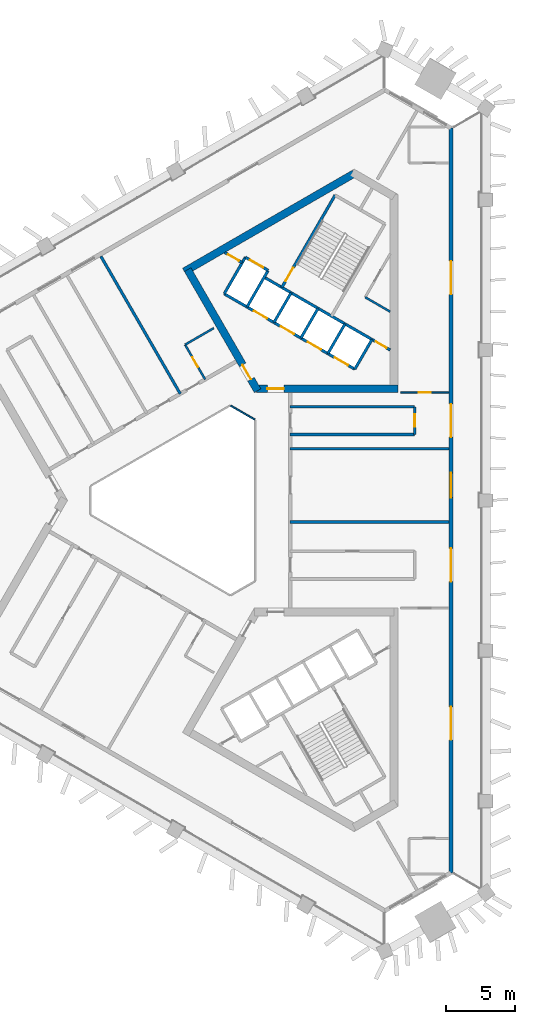
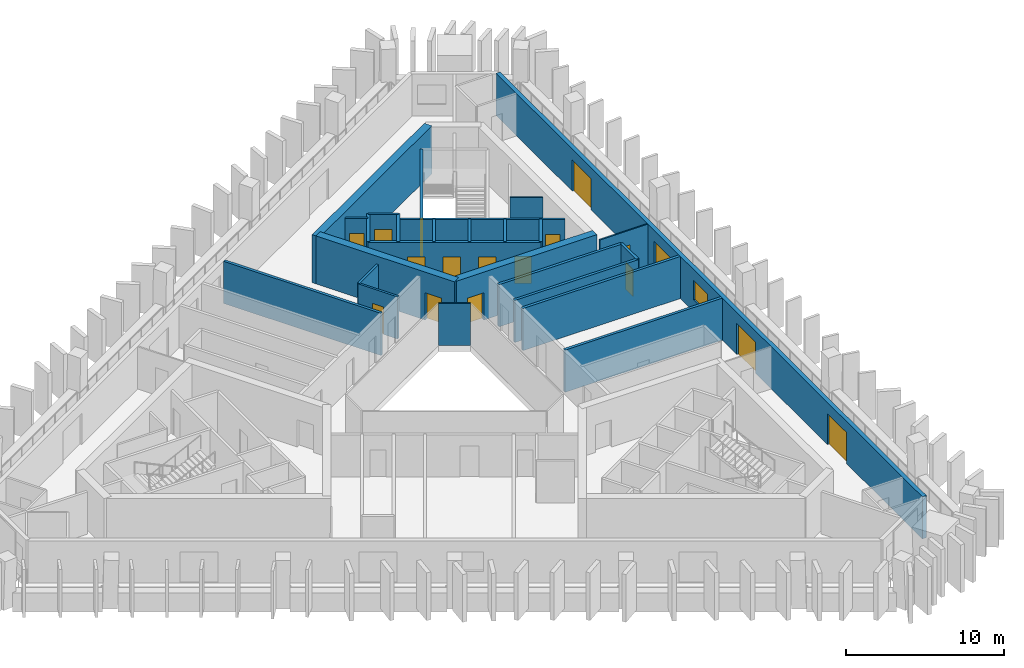
# One storey, part 5 of 10: 26 walls, 17 doors, 1 window, 18 openings.
"""IFC4 building model written with IfcOpenShell, lengths in metres."""

from ifc_helpers import new_model, si_unit, direction, frame, frame_2d, origin, place, context, subcontext, project, spatial, rectangle, extrude, material, layer, layer_set, type_object, element, fill, save


model = new_model("IFC4")

# Units and contexts
model_context = context("Model", 3, precision=1e-05, world=origin(), true_north=direction((0.0, 1.0)))
body_context = subcontext(model_context, "Body", "Model", "MODEL_VIEW")
ifc_project = project(units=[si_unit("LENGTHUNIT", "METRE"), si_unit("AREAUNIT", "SQUARE_METRE"), si_unit("VOLUMEUNIT", "CUBIC_METRE"), si_unit("PLANEANGLEUNIT", "RADIAN"), si_unit("MASSUNIT", "GRAM", prefix="KILO")], contexts=[model_context])

# Site, building, storey
site_placement = place(None, origin())
site = spatial("IfcSite", under=ifc_project, at=site_placement, CompositionType="ELEMENT")
building_placement = place(site_placement, origin())
building = spatial("IfcBuilding", under=site, at=building_placement, Name="Jabali Bay Hotel Tower and Convention Centre", CompositionType="ELEMENT")
storey_placement = place(building_placement, frame((0.0, 0.0, 167.39990234375)))
storey = spatial("IfcBuildingStorey", under=building, at=storey_placement, Name="L40", CompositionType="ELEMENT", Elevation=167.39990234375)

# Wall
ifc_material_1 = material(Name="Fire-resistant glazing", Category="glass")
ifc_layer_1 = layer(ifc_material_1, 0.10009765625)
ifc_layer_set_1 = layer_set([ifc_layer_1], Name="Fire-resistant glazing")
wall_type_1 = type_object("IfcWallType", Name="Atrium glazed screen 100", PredefinedType="PARTITIONING", material=ifc_layer_set_1)
wall_1_placement = place(storey_placement, frame((79.530029296875, 85.84619140625, 0.0), z_axis=(0.0, 0.0, 1.0), x_axis=(-0.866041268327, 0.499972520799, 0.0)))
element("IfcWall", 1, at=wall_1_placement, inside=storey, type_object=wall_type_1, Name="Atrium screen 2 L40", PredefinedType="PARTITIONING", context=body_context, shape_type="SweptSolid", body=[
    extrude(rectangle(XDim=2.0, YDim=0.10009765625, at=frame_2d((1.0, 0.0))), origin(), (0.0, 0.0, 1.0), 3.25),
])

# Wall, opening, door
ifc_material_2 = material(Name="Concrete C40", Category="concrete")
ifc_layer_2 = layer(ifc_material_2, 0.199951171875)
ifc_layer_set_2 = layer_set([ifc_layer_2], Name="Concrete C40")
wall_type_2 = type_object("IfcWallType", Name="Core partition wall 200", PredefinedType="PARTITIONING", material=ifc_layer_set_2)
wall_2_placement = place(storey_placement, frame((78.630126953125, 97.187744140625, 0.0), z_axis=(0.0, 0.0, 1.0), x_axis=(-0.866003949776, 0.500037157592, 0.0)))
wall_2 = element("IfcWall", 2, at=wall_2_placement, inside=storey, type_object=wall_type_2, Name="Core wall 1.12 L40", PredefinedType="PARTITIONING", context=body_context, shape_type="SweptSolid", body=[
    extrude(rectangle(XDim=1.455078125, YDim=0.199951171875, at=frame_2d((0.7275390625, 0.0))), origin(), (0.0, 0.0, 1.0), 3.25),
])
opening_1_placement = place(wall_2_placement, frame((0.277587890625, 0.0, 0.0)))
opening_1 = element("IfcOpeningElement", 3, at=opening_1_placement, cuts=wall_2, Name="Opening D875", PredefinedType="OPENING", context=body_context, shape_type="SweptSolid", body=[
    extrude(rectangle(XDim=0.89990234375, YDim=2.10009765625, at=frame_2d((0.449951171875, 1.050048828125))), frame((0.0, 0.1103515625, 0.0), z_axis=(0.0, -1.0, 0.0), x_axis=(1.0, 0.0, 0.0)), (0.0, 0.0, 1.0), 0.220947265625),
])
ifc_material_3 = material(Name="Fire-rated steel door", Category="steel")
door_type_1 = type_object("IfcDoorType", Name="Vestibule fire door 900 x 2100", OperationType="NOTDEFINED", PredefinedType="NOTDEFINED", material=ifc_material_3)
door_1_placement = place(opening_1_placement, origin())
door_1 = element("IfcDoor", 4, at=door_1_placement, inside=storey, type_object=door_type_1, Name="Vestibule fire door D875", OperationType="SINGLE_SWING_LEFT", OverallHeight=2.10009765625, OverallWidth=0.89990234375, PredefinedType="NOTDEFINED", context=body_context, shape_type="SweptSolid", body=[
    extrude(rectangle(XDim=0.89990234375, YDim=2.10009765625, at=frame_2d((0.449951171875, 1.050048828125))), frame((0.0, 0.02490234375, 0.0), z_axis=(0.0, -1.0, 0.0), x_axis=(1.0, 0.0, 0.0)), (0.0, 0.0, 1.0), 0.050048828125),
])
fill(opening_1, door_1)

# Walls
ifc_material_4 = material(Name="Fire-rated board partition")
ifc_layer_3 = layer(ifc_material_4, 0.14990234375)
ifc_layer_set_3 = layer_set([ifc_layer_3], Name="Fire-rated board partition")
wall_type_3 = type_object("IfcWallType", Name="Core room partition 150", PredefinedType="PARTITIONING", material=ifc_layer_set_3)
wall_3_placement = place(storey_placement, frame((89.330078125, 93.642822265625, 0.0), z_axis=(0.0, 0.0, 1.0), x_axis=(-0.866033778982, 0.499985493453, 0.0)))
element("IfcWall", 5, at=wall_3_placement, inside=storey, type_object=wall_type_3, Name="Core wall 1.14 L40", PredefinedType="PARTITIONING", context=body_context, shape_type="SweptSolid", body=[
    extrude(rectangle(XDim=2.0888671875, YDim=0.14990234375, at=frame_2d((1.04443359375, 0.0))), origin(), (0.0, 0.0, 1.0), 3.25),
])
ifc_layer_4 = layer(ifc_material_2, 0.199951171875)
ifc_layer_set_4 = layer_set([ifc_layer_4], Name="Concrete C40")
wall_type_4 = type_object("IfcWallType", Name="Core stair wall 200", PredefinedType="SOLIDWALL", material=ifc_layer_set_4)
for number, where, z_axis, x_axis, name in (
    (6, (86.769775390625, 89.48583984375, 0.0), (0.0, 0.0, 1.0), (0.499961042966, 0.86604789447, 0.0), "Core wall 1.0 L40"),
    (7, (84.8212890625, 90.61083984375, 0.0), (0.0, 0.0, 1.0), (0.499961042966, 0.86604789447, 0.0), "Core wall 1.2 L40"),
    (8, (82.872802734375, 91.73583984375, 0.0), (0.0, 0.0, 1.0), (0.499961042966, 0.86604789447, 0.0), "Core wall 1.4 L40"),
    (9, (80.924072265625, 92.86083984375, 0.0), (0.0, 0.0, 1.0), (0.499961042966, 0.86604789447, 0.0), "Core wall 1.6 L40"),
):
    element("IfcWall", number, at=place(storey_placement, frame(where, z_axis=z_axis, x_axis=x_axis)), inside=storey, type_object=wall_type_4, Name=name, PredefinedType="SOLIDWALL", context=body_context, shape_type="SweptSolid", body=[
        extrude(rectangle(XDim=2.480224609375, YDim=0.199951171875, at=frame_2d((1.240234375, 0.0))), origin(), (0.0, 0.0, 1.0), 3.25),
    ])

# Wall, opening, door
wall_4_placement = place(storey_placement, frame((81.492919921875, 95.396240234375, 0.0), z_axis=(0.0, 0.0, 1.0), x_axis=(0.500006057782, 0.866021906294, 0.0)))
wall_4 = element("IfcWall", 10, at=wall_4_placement, inside=storey, type_object=wall_type_4, Name="Core wall 1.7 L40", PredefinedType="SOLIDWALL", context=body_context, shape_type="SweptSolid", body=[
    extrude(rectangle(XDim=7.7001953125, YDim=0.199951171875, at=frame_2d((3.85009765625, 0.0))), origin(), (0.0, 0.0, 1.0), 3.25),
])
opening_2_placement = place(wall_4_placement, frame((0.550048828125, 0.0, 0.0)))
opening_2 = element("IfcOpeningElement", 11, at=opening_2_placement, cuts=wall_4, Name="Opening D877", PredefinedType="OPENING", context=body_context, shape_type="SweptSolid", body=[
    extrude(rectangle(XDim=1.10009765625, YDim=2.10009765625, at=frame_2d((0.550048828125, 1.050048828125))), frame((0.0, 0.1103515625, 0.0), z_axis=(0.0, -1.0, 0.0), x_axis=(1.0, 0.0, 0.0)), (0.0, 0.0, 1.0), 0.220947265625),
])
door_type_2 = type_object("IfcDoorType", Name="Stair fire door 1100 x 2100", OperationType="NOTDEFINED", PredefinedType="NOTDEFINED", material=ifc_material_3)
door_2_placement = place(opening_2_placement, origin())
door_2 = element("IfcDoor", 12, at=door_2_placement, inside=storey, type_object=door_type_2, Name="Stair fire door D877", OperationType="SINGLE_SWING_RIGHT", OverallHeight=2.10009765625, OverallWidth=1.10009765625, PredefinedType="NOTDEFINED", context=body_context, shape_type="SweptSolid", body=[
    extrude(rectangle(XDim=1.10009765625, YDim=2.10009765625, at=frame_2d((0.550048828125, 1.050048828125))), frame((0.0, 0.02490234375, 0.0), z_axis=(0.0, -1.0, 0.0), x_axis=(1.0, 0.0, 0.0)), (0.0, 0.0, 1.0), 0.050048828125),
])
fill(opening_2, door_2)

# Walls
for number, where, z_axis, x_axis, name in (
    (13, (78.9755859375, 93.98583984375, 0.0), (0.0, 0.0, 1.0), (0.499944174705, 0.866057632134, 0.0), "Core wall 1.8 L40"),
    (14, (77.330078125, 94.93603515625, 0.0), (0.0, 0.0, 1.0), (0.500038867431, 0.8660029625, 0.0), "Core wall 1.9 L40"),
):
    element("IfcWall", number, at=place(storey_placement, frame(where, z_axis=z_axis, x_axis=x_axis)), inside=storey, type_object=wall_type_4, Name=name, PredefinedType="SOLIDWALL", context=body_context, shape_type="SweptSolid", body=[
        extrude(rectangle(XDim=3.050048828125, YDim=0.199951171875, at=frame_2d((1.52490234375, 0.0))), origin(), (0.0, 0.0, 1.0), 3.25),
    ])

# Wall, openings, doors
wall_5_placement = place(storey_placement, frame((86.769775390625, 89.48583984375, 0.0), z_axis=(0.0, 0.0, 1.0), x_axis=(-0.86601811187, 0.500012629753, 0.0)))
wall_5 = element("IfcWall", 15, at=wall_5_placement, inside=storey, type_object=wall_type_4, Name="Core wall 1.10 L40", PredefinedType="SOLIDWALL", context=body_context, shape_type="SweptSolid", body=[
    extrude(rectangle(XDim=10.900146484375, YDim=0.199951171875, at=frame_2d((5.4501953125, 0.0))), origin(), (0.0, 0.0, 1.0), 3.25),
])
opening_3_placement = place(wall_5_placement, frame((0.574951171875, 0.0, 0.0)))
opening_3 = element("IfcOpeningElement", 16, at=opening_3_placement, cuts=wall_5, Name="Opening LD6-L40", PredefinedType="OPENING", context=body_context, shape_type="SweptSolid", body=[
    extrude(rectangle(XDim=1.10009765625, YDim=2.10009765625, at=frame_2d((0.550048828125, 1.050048828125))), frame((0.0, 0.1103515625, 0.0), z_axis=(0.0, -1.0, 0.0), x_axis=(1.0, 0.0, 0.0)), (0.0, 0.0, 1.0), 0.220947265625),
])
opening_4_placement = place(wall_5_placement, frame((2.824951171875, 0.0, 0.0)))
opening_4 = element("IfcOpeningElement", 17, at=opening_4_placement, cuts=wall_5, Name="Opening LD7-L40", PredefinedType="OPENING", context=body_context, shape_type="SweptSolid", body=[
    extrude(rectangle(XDim=1.10009765625, YDim=2.10009765625, at=frame_2d((0.550048828125, 1.050048828125))), frame((0.0, 0.1103515625, 0.0), z_axis=(0.0, -1.0, 0.0), x_axis=(1.0, 0.0, 0.0)), (0.0, 0.0, 1.0), 0.220947265625),
])
opening_5_placement = place(wall_5_placement, frame((5.074951171875, 0.0, 0.0)))
opening_5 = element("IfcOpeningElement", 18, at=opening_5_placement, cuts=wall_5, Name="Opening LD8-L40", PredefinedType="OPENING", context=body_context, shape_type="SweptSolid", body=[
    extrude(rectangle(XDim=1.10009765625, YDim=2.10009765625, at=frame_2d((0.550048828125, 1.050048828125))), frame((0.0, 0.1103515625, 0.0), z_axis=(0.0, -1.0, 0.0), x_axis=(1.0, 0.0, 0.0)), (0.0, 0.0, 1.0), 0.220947265625),
])
opening_6_placement = place(wall_5_placement, frame((7.324951171875, 0.0, 0.0)))
opening_6 = element("IfcOpeningElement", 19, at=opening_6_placement, cuts=wall_5, Name="Opening LD9-L40", PredefinedType="OPENING", context=body_context, shape_type="SweptSolid", body=[
    extrude(rectangle(XDim=1.10009765625, YDim=2.10009765625, at=frame_2d((0.550048828125, 1.050048828125))), frame((0.0, 0.1103515625, 0.0), z_axis=(0.0, -1.0, 0.0), x_axis=(1.0, 0.0, 0.0)), (0.0, 0.0, 1.0), 0.220947265625),
])
ifc_material_5 = material(Name="Stainless steel landing door", Category="steel")
door_type_3 = type_object("IfcDoorType", Name="Landing door 1100 x 2100", OperationType="NOTDEFINED", PredefinedType="NOTDEFINED", material=ifc_material_5)
door_3_placement = place(opening_3_placement, origin())
door_3 = element("IfcDoor", 20, at=door_3_placement, inside=storey, type_object=door_type_3, Name="Landing doors LD6-L40", OperationType="SLIDING_TO_RIGHT", OverallHeight=2.10009765625, OverallWidth=1.10009765625, PredefinedType="NOTDEFINED", context=body_context, shape_type="SweptSolid", body=[
    extrude(rectangle(XDim=1.10009765625, YDim=2.10009765625, at=frame_2d((0.550048828125, 1.050048828125))), frame((0.0, 0.02490234375, 0.0), z_axis=(0.0, -1.0, 0.0), x_axis=(1.0, 0.0, 0.0)), (0.0, 0.0, 1.0), 0.050048828125),
])
fill(opening_3, door_3)
door_4_placement = place(opening_4_placement, origin())
door_4 = element("IfcDoor", 21, at=door_4_placement, inside=storey, type_object=door_type_3, Name="Landing doors LD7-L40", OperationType="SLIDING_TO_LEFT", OverallHeight=2.10009765625, OverallWidth=1.10009765625, PredefinedType="NOTDEFINED", context=body_context, shape_type="SweptSolid", body=[
    extrude(rectangle(XDim=1.10009765625, YDim=2.10009765625, at=frame_2d((0.550048828125, 1.050048828125))), frame((0.0, 0.02490234375, 0.0), z_axis=(0.0, -1.0, 0.0), x_axis=(1.0, 0.0, 0.0)), (0.0, 0.0, 1.0), 0.050048828125),
])
fill(opening_4, door_4)
door_5_placement = place(opening_5_placement, origin())
door_5 = element("IfcDoor", 22, at=door_5_placement, inside=storey, type_object=door_type_3, Name="Landing doors LD8-L40", OperationType="SLIDING_TO_RIGHT", OverallHeight=2.10009765625, OverallWidth=1.10009765625, PredefinedType="NOTDEFINED", context=body_context, shape_type="SweptSolid", body=[
    extrude(rectangle(XDim=1.10009765625, YDim=2.10009765625, at=frame_2d((0.550048828125, 1.050048828125))), frame((0.0, 0.02490234375, 0.0), z_axis=(0.0, -1.0, 0.0), x_axis=(1.0, 0.0, 0.0)), (0.0, 0.0, 1.0), 0.050048828125),
])
fill(opening_5, door_5)
door_6_placement = place(opening_6_placement, origin())
door_6 = element("IfcDoor", 23, at=door_6_placement, inside=storey, type_object=door_type_3, Name="Landing doors LD9-L40", OperationType="SLIDING_TO_LEFT", OverallHeight=2.10009765625, OverallWidth=1.10009765625, PredefinedType="NOTDEFINED", context=body_context, shape_type="SweptSolid", body=[
    extrude(rectangle(XDim=1.10009765625, YDim=2.10009765625, at=frame_2d((0.550048828125, 1.050048828125))), frame((0.0, 0.02490234375, 0.0), z_axis=(0.0, -1.0, 0.0), x_axis=(1.0, 0.0, 0.0)), (0.0, 0.0, 1.0), 0.050048828125),
])
fill(opening_6, door_6)

# Wall, opening, door
wall_6_placement = place(storey_placement, frame((89.330078125, 90.87158203125, 0.0), z_axis=(0.0, 0.0, 1.0), x_axis=(-0.866027589512, 0.49999621419, 0.0)))
wall_6 = element("IfcWall", 24, at=wall_6_placement, inside=storey, type_object=wall_type_4, Name="Core wall 1.11 L40", PredefinedType="SOLIDWALL", context=body_context, shape_type="SweptSolid", body=[
    extrude(rectangle(XDim=10.5244140625, YDim=0.199951171875, at=frame_2d((5.26220703125, 0.0))), origin(), (0.0, 0.0, 1.0), 3.25),
])
opening_7_placement = place(wall_6_placement, frame((0.312255859375, 0.0, 0.0)))
opening_7 = element("IfcOpeningElement", 25, at=opening_7_placement, cuts=wall_6, Name="Opening D876", PredefinedType="OPENING", context=body_context, shape_type="SweptSolid", body=[
    extrude(rectangle(XDim=0.89990234375, YDim=2.10009765625, at=frame_2d((0.449951171875, 1.050048828125))), frame((0.0, 0.1103515625, 0.0), z_axis=(0.0, -1.0, 0.0), x_axis=(1.0, 0.0, 0.0)), (0.0, 0.0, 1.0), 0.220947265625),
])
door_7_placement = place(opening_7_placement, origin())
door_7 = element("IfcDoor", 26, at=door_7_placement, inside=storey, type_object=door_type_1, Name="Vestibule fire door D876", OperationType="SINGLE_SWING_LEFT", OverallHeight=2.10009765625, OverallWidth=0.89990234375, PredefinedType="NOTDEFINED", context=body_context, shape_type="SweptSolid", body=[
    extrude(rectangle(XDim=0.89990234375, YDim=2.10009765625, at=frame_2d((0.449951171875, 1.050048828125))), frame((0.0, 0.02490234375, 0.0), z_axis=(0.0, -1.0, 0.0), x_axis=(1.0, 0.0, 0.0)), (0.0, 0.0, 1.0), 0.050048828125),
])
fill(opening_7, door_7)

wall_7_placement = place(storey_placement, frame((80.50048828125, 96.62744140625, 0.0), z_axis=(0.0, 0.0, 1.0), x_axis=(-0.86601224135, 0.500022797313, 0.0)))
wall_7 = element("IfcWall", 27, at=wall_7_placement, inside=storey, type_object=wall_type_4, Name="Core wall 1.13 L40", PredefinedType="SOLIDWALL", context=body_context, shape_type="SweptSolid", body=[
    extrude(rectangle(XDim=1.89990234375, YDim=0.199951171875, at=frame_2d((0.949951171875, 0.0))), origin(), (0.0, 0.0, 1.0), 3.25),
])
opening_8_placement = place(wall_7_placement, frame((0.39990234375, 0.0, 0.0)))
opening_8 = element("IfcOpeningElement", 28, at=opening_8_placement, cuts=wall_7, Name="Opening LD10-L40", PredefinedType="OPENING", context=body_context, shape_type="SweptSolid", body=[
    extrude(rectangle(XDim=1.10009765625, YDim=2.10009765625, at=frame_2d((0.550048828125, 1.050048828125))), frame((0.0, 0.1103515625, 0.0), z_axis=(0.0, -1.0, 0.0), x_axis=(1.0, 0.0, 0.0)), (0.0, 0.0, 1.0), 0.220947265625),
])
door_8_placement = place(opening_8_placement, origin())
door_8 = element("IfcDoor", 29, at=door_8_placement, inside=storey, type_object=door_type_3, Name="Landing doors LD10-L40", OperationType="SLIDING_TO_RIGHT", OverallHeight=2.10009765625, OverallWidth=1.10009765625, PredefinedType="NOTDEFINED", context=body_context, shape_type="SweptSolid", body=[
    extrude(rectangle(XDim=1.10009765625, YDim=2.10009765625, at=frame_2d((0.550048828125, 1.050048828125))), frame((0.0, 0.02490234375, 0.0), z_axis=(0.0, -1.0, 0.0), x_axis=(1.0, 0.0, 0.0)), (0.0, 0.0, 1.0), 0.050048828125),
])
fill(opening_8, door_8)

ifc_material_6 = material(Name="Concrete C60", Category="concrete")
ifc_layer_5 = layer(ifc_material_6, 0.550048828125)
ifc_layer_set_5 = layer_set([ifc_layer_5], Name="Concrete C60")
wall_type_5 = type_object("IfcWallType", Name="Core wall 550", PredefinedType="SHEAR", material=ifc_layer_set_5)
wall_8_placement = place(storey_placement, frame((79.65869140625, 88.0693359375, 0.0), z_axis=(0.0, 0.0, 1.0), x_axis=(1.0, 0.0, 0.0)))
wall_8 = element("IfcWall", 30, at=wall_8_placement, inside=storey, type_object=wall_type_5, Name="Core wall 2.1 L40", PredefinedType="SHEAR", context=body_context, shape_type="SweptSolid", body=[
    extrude(rectangle(XDim=10.22119140625, YDim=0.550048828125, at=frame_2d((5.110595703125, 0.0))), origin(), (0.0, 0.0, 1.0), 3.7001953125),
])
opening_9_placement = place(wall_8_placement, frame((0.791259765625, 0.0, 0.0)))
opening_9 = element("IfcOpeningElement", 31, at=opening_9_placement, cuts=wall_8, Name="Opening D873", PredefinedType="OPENING", context=body_context, shape_type="SweptSolid", body=[
    extrude(rectangle(XDim=1.199951171875, YDim=2.10009765625, at=frame_2d((0.60009765625, 1.050048828125))), frame((0.0, 0.28564453125, 0.0), z_axis=(0.0, -1.0, 0.0), x_axis=(1.0, 0.0, 0.0)), (0.0, 0.0, 1.0), 0.571044921875),
])
door_type_4 = type_object("IfcDoorType", Name="Corridor end fire door 1200 x 2100", OperationType="NOTDEFINED", PredefinedType="NOTDEFINED", material=ifc_material_3)
door_9_placement = place(opening_9_placement, origin())
door_9 = element("IfcDoor", 32, at=door_9_placement, inside=storey, type_object=door_type_4, Name="Corridor end fire door D873", OperationType="SINGLE_SWING_RIGHT", OverallHeight=2.10009765625, OverallWidth=1.199951171875, PredefinedType="NOTDEFINED", context=body_context, shape_type="SweptSolid", body=[
    extrude(rectangle(XDim=1.199951171875, YDim=2.10009765625, at=frame_2d((0.60009765625, 1.050048828125))), frame((0.0, 0.02490234375, 0.0), z_axis=(0.0, -1.0, 0.0), x_axis=(1.0, 0.0, 0.0)), (0.0, 0.0, 1.0), 0.050048828125),
])
fill(opening_9, door_9)

# Wall
wall_9_placement = place(storey_placement, frame((86.72314453125, 103.6328125, 0.0), z_axis=(0.0, 0.0, 1.0), x_axis=(-0.866023530946, -0.500003243837, 0.0)))
element("IfcWall", 33, at=wall_9_placement, inside=storey, type_object=wall_type_5, Name="Core wall 2.4 L40", PredefinedType="SHEAR", context=body_context, shape_type="SweptSolid", body=[
    extrude(rectangle(XDim=14.1748046875, YDim=0.550048828125, at=frame_2d((7.08740234375, 0.0))), origin(), (0.0, 0.0, 1.0), 3.7001953125),
])

# Wall, opening, door
wall_10_placement = place(storey_placement, frame((74.685546875, 96.682861328125, 0.0), z_axis=(0.0, 0.0, 1.0), x_axis=(0.499997818338, -0.866026663364, 0.0)))
wall_10 = element("IfcWall", 34, at=wall_10_placement, inside=storey, type_object=wall_type_5, Name="Core wall 2.5 L40", PredefinedType="SHEAR", context=body_context, shape_type="SweptSolid", body=[
    extrude(rectangle(XDim=10.10498046875, YDim=0.550048828125, at=frame_2d((5.052490234375, 0.0))), origin(), (0.0, 0.0, 1.0), 3.7001953125),
])
opening_10_placement = place(wall_10_placement, frame((7.955078125, 0.0, 0.0)))
opening_10 = element("IfcOpeningElement", 35, at=opening_10_placement, cuts=wall_10, Name="Opening D874", PredefinedType="OPENING", context=body_context, shape_type="SweptSolid", body=[
    extrude(rectangle(XDim=1.199951171875, YDim=2.10009765625, at=frame_2d((0.60009765625, 1.050048828125))), frame((0.0, 0.28564453125, 0.0), z_axis=(0.0, -1.0, 0.0), x_axis=(1.0, 0.0, 0.0)), (0.0, 0.0, 1.0), 0.571044921875),
])
door_10_placement = place(opening_10_placement, origin())
door_10 = element("IfcDoor", 36, at=door_10_placement, inside=storey, type_object=door_type_4, Name="Corridor end fire door D874", OperationType="SINGLE_SWING_LEFT", OverallHeight=2.10009765625, OverallWidth=1.199951171875, PredefinedType="NOTDEFINED", context=body_context, shape_type="SweptSolid", body=[
    extrude(rectangle(XDim=1.199951171875, YDim=2.10009765625, at=frame_2d((0.60009765625, 1.050048828125))), frame((0.0, 0.02490234375, 0.0), z_axis=(0.0, -1.0, 0.0), x_axis=(1.0, 0.0, 0.0)), (0.0, 0.0, 1.0), 0.050048828125),
])
fill(opening_10, door_10)

# Wall, openings, doors, window
ifc_layer_6 = layer(ifc_material_2, 0.300048828125)
ifc_layer_set_6 = layer_set([ifc_layer_6], Name="Concrete C40")
wall_type_6 = type_object("IfcWallType", Name="External wall 300", PredefinedType="SOLIDWALL", material=ifc_layer_set_6)
wall_11_placement = place(storey_placement, frame((93.72607421875, 106.925048828125, 0.0), z_axis=(0.0, 0.0, 1.0), x_axis=(0.0, -1.0, 0.0)))
wall_11 = element("IfcWall", 37, at=wall_11_placement, inside=storey, type_object=wall_type_6, Name="External wall east face L40", PredefinedType="SOLIDWALL", context=body_context, shape_type="SweptSolid", body=[
    extrude(rectangle(XDim=53.85009765625, YDim=0.300048828125, at=frame_2d((26.925048828125, 0.0))), origin(), (0.0, 0.0, 1.0), 3.25),
])
opening_11_placement = place(wall_11_placement, frame((30.4013671875, 0.0, 0.0)))
opening_11 = element("IfcOpeningElement", 38, at=opening_11_placement, cuts=wall_11, Name="Opening SD1", PredefinedType="OPENING", context=body_context, shape_type="SweptSolid", body=[
    extrude(rectangle(XDim=2.39990234375, YDim=2.39990234375, at=frame_2d((1.199951171875, 1.199951171875))), frame((0.0, 0.16064453125, 0.0), z_axis=(0.0, -1.0, 0.0), x_axis=(1.0, 0.0, 0.0)), (0.0, 0.0, 1.0), 0.321044921875),
])
opening_12_placement = place(wall_11_placement, frame((41.84716796875, 0.0, 0.0)))
opening_12 = element("IfcOpeningElement", 39, at=opening_12_placement, cuts=wall_11, Name="Opening SD1", PredefinedType="OPENING", context=body_context, shape_type="SweptSolid", body=[
    extrude(rectangle(XDim=2.39990234375, YDim=2.39990234375, at=frame_2d((1.199951171875, 1.199951171875))), frame((0.0, 0.16064453125, 0.0), z_axis=(0.0, -1.0, 0.0), x_axis=(1.0, 0.0, 0.0)), (0.0, 0.0, 1.0), 0.321044921875),
])
opening_13_placement = place(wall_11_placement, frame((19.957275390625, 0.0, 0.0)))
opening_13 = element("IfcOpeningElement", 40, at=opening_13_placement, cuts=wall_11, Name="Opening SD1", PredefinedType="OPENING", context=body_context, shape_type="SweptSolid", body=[
    extrude(rectangle(XDim=2.39990234375, YDim=2.39990234375, at=frame_2d((1.199951171875, 1.199951171875))), frame((0.0, 0.16064453125, 0.0), z_axis=(0.0, -1.0, 0.0), x_axis=(1.0, 0.0, 0.0)), (0.0, 0.0, 1.0), 0.321044921875),
])
opening_14_placement = place(wall_11_placement, frame((9.621826171875, 0.0, 0.0)))
opening_14 = element("IfcOpeningElement", 41, at=opening_14_placement, cuts=wall_11, Name="Opening SD1", PredefinedType="OPENING", context=body_context, shape_type="SweptSolid", body=[
    extrude(rectangle(XDim=2.39990234375, YDim=2.39990234375, at=frame_2d((1.199951171875, 1.199951171875))), frame((0.0, 0.16064453125, 0.0), z_axis=(0.0, -1.0, 0.0), x_axis=(1.0, 0.0, 0.0)), (0.0, 0.0, 1.0), 0.321044921875),
])
opening_15_placement = place(wall_11_placement, frame((24.933837890625, 0.0, 0.89990234375)))
opening_15 = element("IfcOpeningElement", 42, at=opening_15_placement, cuts=wall_11, Name="Opening W1", PredefinedType="OPENING", context=body_context, shape_type="SweptSolid", body=[
    extrude(rectangle(XDim=1.800048828125, YDim=1.5, at=frame_2d((0.89990234375, 0.75))), frame((0.0, 0.16064453125, 0.0), z_axis=(0.0, -1.0, 0.0), x_axis=(1.0, 0.0, 0.0)), (0.0, 0.0, 1.0), 0.321044921875),
])
ifc_material_7 = material(Name="Glass", Category="glass")
door_type_5 = type_object("IfcDoorType", Name="Loggia sliding door 2400 x 2400", OperationType="NOTDEFINED", PredefinedType="NOTDEFINED", material=ifc_material_7)
door_11_placement = place(opening_11_placement, origin())
door_11 = element("IfcDoor", 43, at=door_11_placement, inside=storey, type_object=door_type_5, Name="Loggia sliding door 4001", OperationType="SLIDING_TO_LEFT", OverallHeight=2.39990234375, OverallWidth=2.39990234375, PredefinedType="NOTDEFINED", context=body_context, shape_type="SweptSolid", body=[
    extrude(rectangle(XDim=2.39990234375, YDim=2.39990234375, at=frame_2d((1.199951171875, 1.199951171875))), frame((0.0, 0.02490234375, 0.0), z_axis=(0.0, -1.0, 0.0), x_axis=(1.0, 0.0, 0.0)), (0.0, 0.0, 1.0), 0.050048828125),
])
fill(opening_11, door_11)
door_12_placement = place(opening_12_placement, origin())
door_12 = element("IfcDoor", 44, at=door_12_placement, inside=storey, type_object=door_type_5, Name="Loggia sliding door 4001", OperationType="SLIDING_TO_RIGHT", OverallHeight=2.39990234375, OverallWidth=2.39990234375, PredefinedType="NOTDEFINED", context=body_context, shape_type="SweptSolid", body=[
    extrude(rectangle(XDim=2.39990234375, YDim=2.39990234375, at=frame_2d((1.199951171875, 1.199951171875))), frame((0.0, 0.02490234375, 0.0), z_axis=(0.0, -1.0, 0.0), x_axis=(1.0, 0.0, 0.0)), (0.0, 0.0, 1.0), 0.050048828125),
])
fill(opening_12, door_12)
door_13_placement = place(opening_13_placement, origin())
door_13 = element("IfcDoor", 45, at=door_13_placement, inside=storey, type_object=door_type_5, Name="Loggia sliding door 4003", OperationType="SLIDING_TO_LEFT", OverallHeight=2.39990234375, OverallWidth=2.39990234375, PredefinedType="NOTDEFINED", context=body_context, shape_type="SweptSolid", body=[
    extrude(rectangle(XDim=2.39990234375, YDim=2.39990234375, at=frame_2d((1.199951171875, 1.199951171875))), frame((0.0, 0.02490234375, 0.0), z_axis=(0.0, -1.0, 0.0), x_axis=(1.0, 0.0, 0.0)), (0.0, 0.0, 1.0), 0.050048828125),
])
fill(opening_13, door_13)
door_14_placement = place(opening_14_placement, origin())
door_14 = element("IfcDoor", 46, at=door_14_placement, inside=storey, type_object=door_type_5, Name="Loggia sliding door 4003", OperationType="SLIDING_TO_RIGHT", OverallHeight=2.39990234375, OverallWidth=2.39990234375, PredefinedType="NOTDEFINED", context=body_context, shape_type="SweptSolid", body=[
    extrude(rectangle(XDim=2.39990234375, YDim=2.39990234375, at=frame_2d((1.199951171875, 1.199951171875))), frame((0.0, 0.02490234375, 0.0), z_axis=(0.0, -1.0, 0.0), x_axis=(1.0, 0.0, 0.0)), (0.0, 0.0, 1.0), 0.050048828125),
])
fill(opening_14, door_14)
window_type = type_object("IfcWindowType", Name="Window 1800 x 1500", PartitioningType="SINGLE_PANEL", PredefinedType="WINDOW", material=ifc_material_7)
window_placement = place(opening_15_placement, origin())
window = element("IfcWindow", 47, at=window_placement, inside=storey, type_object=window_type, Name="Window", OverallHeight=1.5, OverallWidth=1.800048828125, PartitioningType="SINGLE_PANEL", PredefinedType="WINDOW", context=body_context, shape_type="SweptSolid", body=[
    extrude(rectangle(XDim=1.800048828125, YDim=1.5, at=frame_2d((0.89990234375, 0.75))), frame((0.0, 0.030029296875, 0.0), z_axis=(0.0, -1.0, 0.0), x_axis=(1.0, 0.0, 0.0)), (0.0, 0.0, 1.0), 0.06005859375),
])
fill(opening_15, window)

# Wall, opening, door
ifc_material_8 = material(Name="Plasterboard on steel stud", Category="steel")
ifc_layer_7 = layer(ifc_material_8, 0.10009765625)
ifc_layer_set_7 = layer_set([ifc_layer_7], Name="Plasterboard on steel stud")
wall_type_7 = type_object("IfcWallType", Name="Partition 100 unit", PredefinedType="PARTITIONING", material=ifc_layer_set_7)
wall_12_placement = place(storey_placement, frame((93.5771484375, 87.794189453125, 0.0), z_axis=(0.0, 0.0, 1.0), x_axis=(-1.0, 0.0, 0.0)))
wall_12 = element("IfcWall", 48, at=wall_12_placement, inside=storey, type_object=wall_type_7, Name="Partition P02 L40 011", PredefinedType="PARTITIONING", context=body_context, shape_type="SweptSolid", body=[
    extrude(rectangle(XDim=3.498046875, YDim=0.10009765625, at=frame_2d((1.7490234375, 0.0))), origin(), (0.0, 0.0, 1.0), 3.25),
])
opening_16_placement = place(wall_12_placement, frame((1.299072265625, 0.0, 0.0)))
opening_16 = element("IfcOpeningElement", 49, at=opening_16_placement, cuts=wall_12, Name="Opening 4007", PredefinedType="OPENING", context=body_context, shape_type="SweptSolid", body=[
    extrude(rectangle(XDim=0.89990234375, YDim=2.10009765625, at=frame_2d((0.449951171875, 1.050048828125))), frame((0.0, 0.060546875, 0.0), z_axis=(0.0, -1.0, 0.0), x_axis=(1.0, 0.0, 0.0)), (0.0, 0.0, 1.0), 0.12109375),
])
ifc_material_9 = material(Name="Timber", Category="wood")
door_type_6 = type_object("IfcDoorType", Name="Internal door 900 x 2100", OperationType="NOTDEFINED", PredefinedType="NOTDEFINED", material=ifc_material_9)
door_15_placement = place(opening_16_placement, origin())
door_15 = element("IfcDoor", 50, at=door_15_placement, inside=storey, type_object=door_type_6, Name="Door 4007", OperationType="SINGLE_SWING_LEFT", OverallHeight=2.10009765625, OverallWidth=0.89990234375, PredefinedType="NOTDEFINED", context=body_context, shape_type="SweptSolid", body=[
    extrude(rectangle(XDim=0.89990234375, YDim=2.10009765625, at=frame_2d((0.449951171875, 1.050048828125))), frame((0.0, 0.02490234375, 0.0), z_axis=(0.0, -1.0, 0.0), x_axis=(1.0, 0.0, 0.0)), (0.0, 0.0, 1.0), 0.050048828125),
])
fill(opening_16, door_15)

ifc_layer_8 = layer(ifc_material_8, 0.14990234375)
ifc_layer_set_8 = layer_set([ifc_layer_8], Name="Plasterboard on steel stud")
wall_type_8 = type_object("IfcWallType", Name="Partition 150 wet", PredefinedType="PARTITIONING", material=ifc_layer_set_8)
wall_13_placement = place(storey_placement, frame((75.9482421875, 88.745849609375, 0.0), z_axis=(0.0, 0.0, 1.0), x_axis=(-0.499987231761, 0.866032775405, 0.0)))
wall_13 = element("IfcWall", 51, at=wall_13_placement, inside=storey, type_object=wall_type_8, Name="Partition P03 L40 019", PredefinedType="PARTITIONING", context=body_context, shape_type="SweptSolid", body=[
    extrude(rectangle(XDim=2.89990234375, YDim=0.14990234375, at=frame_2d((1.449951171875, 0.0))), origin(), (0.0, 0.0, 1.0), 3.25),
])
opening_17_placement = place(wall_13_placement, frame((1.050048828125, 0.0, 0.0)))
opening_17 = element("IfcOpeningElement", 52, at=opening_17_placement, cuts=wall_13, Name="Opening 4010", PredefinedType="OPENING", context=body_context, shape_type="SweptSolid", body=[
    extrude(rectangle(XDim=0.800048828125, YDim=2.10009765625, at=frame_2d((0.39990234375, 1.050048828125))), frame((0.0, 0.08544921875, 0.0), z_axis=(0.0, -1.0, 0.0), x_axis=(1.0, 0.0, 0.0)), (0.0, 0.0, 1.0), 0.1708984375),
])
door_type_7 = type_object("IfcDoorType", Name="En-suite door 800 x 2100", OperationType="NOTDEFINED", PredefinedType="NOTDEFINED", material=ifc_material_9)
door_16_placement = place(opening_17_placement, origin())
door_16 = element("IfcDoor", 53, at=door_16_placement, inside=storey, type_object=door_type_7, Name="Door 4010", OperationType="SINGLE_SWING_RIGHT", OverallHeight=2.10009765625, OverallWidth=0.800048828125, PredefinedType="NOTDEFINED", context=body_context, shape_type="SweptSolid", body=[
    extrude(rectangle(XDim=0.800048828125, YDim=2.10009765625, at=frame_2d((0.39990234375, 1.050048828125))), frame((0.0, 0.02490234375, 0.0), z_axis=(0.0, -1.0, 0.0), x_axis=(1.0, 0.0, 0.0)), (0.0, 0.0, 1.0), 0.050048828125),
])
fill(opening_17, door_16)

# Walls
wall_14_placement = place(storey_placement, frame((74.498291015625, 91.25732421875, 0.0), z_axis=(0.0, 0.0, 1.0), x_axis=(0.866038271014, 0.499977712642, 0.0)))
element("IfcWall", 54, at=wall_14_placement, inside=storey, type_object=wall_type_8, Name="Partition P03 L40 020", PredefinedType="PARTITIONING", context=body_context, shape_type="SweptSolid", body=[
    extrude(rectangle(XDim=2.40087890625, YDim=0.14990234375, at=frame_2d((1.200439453125, 0.0))), origin(), (0.0, 0.0, 1.0), 3.25),
])
ifc_layer_9 = layer(ifc_material_8, 0.199951171875)
ifc_layer_set_9 = layer_set([ifc_layer_9], Name="Plasterboard on steel stud")
wall_type_9 = type_object("IfcWallType", Name="Partition 200 party", PredefinedType="PARTITIONING", material=ifc_layer_set_9)
for number, where, z_axis, x_axis, name in (
    (55, (93.5771484375, 78.441162109375, 0.0), (0.0, 0.0, 1.0), (-1.0, 0.0, 0.0), "Partition P01 L40 005"),
    (56, (93.5771484375, 83.7412109375, 0.0), (0.0, 0.0, 1.0), (-1.0, 0.0, 0.0), "Partition P01 L40 010"),
):
    element("IfcWall", number, at=place(storey_placement, frame(where, z_axis=z_axis, x_axis=x_axis)), inside=storey, type_object=wall_type_9, Name=name, PredefinedType="PARTITIONING", context=body_context, shape_type="SweptSolid", body=[
        extrude(rectangle(XDim=11.47705078125, YDim=0.199951171875, at=frame_2d((5.738525390625, 0.0))), origin(), (0.0, 0.0, 1.0), 3.25),
    ])
wall_15_placement = place(storey_placement, frame((82.10009765625, 86.767822265625, 0.0), z_axis=(0.0, 0.0, 1.0), x_axis=(1.0, 0.0, 0.0)))
element("IfcWall", 57, at=wall_15_placement, inside=storey, type_object=wall_type_9, Name="Partition P01 L40 012", PredefinedType="PARTITIONING", context=body_context, shape_type="SweptSolid", body=[
    extrude(rectangle(XDim=9.0, YDim=0.199951171875, at=frame_2d((4.5, 0.0))), origin(), (0.0, 0.0, 1.0), 3.25),
])

# Wall, opening, door
wall_16_placement = place(storey_placement, frame((91.10009765625, 86.767822265625, 0.0), z_axis=(0.0, 0.0, 1.0), x_axis=(0.0, -1.0, 0.0)))
wall_16 = element("IfcWall", 58, at=wall_16_placement, inside=storey, type_object=wall_type_9, Name="Partition P01 L40 013", PredefinedType="PARTITIONING", context=body_context, shape_type="SweptSolid", body=[
    extrude(rectangle(XDim=2.0, YDim=0.199951171875, at=frame_2d((1.0, 0.0))), origin(), (0.0, 0.0, 1.0), 3.25),
])
opening_18_placement = place(wall_16_placement, frame((0.550048828125, 0.0, 0.0)))
opening_18 = element("IfcOpeningElement", 59, at=opening_18_placement, cuts=wall_16, Name="Opening 4009", PredefinedType="OPENING", context=body_context, shape_type="SweptSolid", body=[
    extrude(rectangle(XDim=0.89990234375, YDim=2.10009765625, at=frame_2d((0.449951171875, 1.050048828125))), frame((0.0, 0.1103515625, 0.0), z_axis=(0.0, -1.0, 0.0), x_axis=(1.0, 0.0, 0.0)), (0.0, 0.0, 1.0), 0.220947265625),
])
door_17_placement = place(opening_18_placement, origin())
door_17 = element("IfcDoor", 60, at=door_17_placement, inside=storey, type_object=door_type_6, Name="Door 4009", OperationType="SINGLE_SWING_RIGHT", OverallHeight=2.10009765625, OverallWidth=0.89990234375, PredefinedType="NOTDEFINED", context=body_context, shape_type="SweptSolid", body=[
    extrude(rectangle(XDim=0.89990234375, YDim=2.10009765625, at=frame_2d((0.449951171875, 1.050048828125))), frame((0.0, 0.02490234375, 0.0), z_axis=(0.0, -1.0, 0.0), x_axis=(1.0, 0.0, 0.0)), (0.0, 0.0, 1.0), 0.050048828125),
])
fill(opening_18, door_17)

# Walls
wall_17_placement = place(storey_placement, frame((91.10009765625, 84.767822265625, 0.0), z_axis=(0.0, 0.0, 1.0), x_axis=(-1.0, 0.0, 0.0)))
element("IfcWall", 61, at=wall_17_placement, inside=storey, type_object=wall_type_9, Name="Partition P01 L40 014", PredefinedType="PARTITIONING", context=body_context, shape_type="SweptSolid", body=[
    extrude(rectangle(XDim=9.0, YDim=0.199951171875, at=frame_2d((4.5, 0.0))), origin(), (0.0, 0.0, 1.0), 3.25),
])
wall_18_placement = place(storey_placement, frame((68.411376953125, 97.64697265625, 0.0), z_axis=(0.0, 0.0, 1.0), x_axis=(0.499998657322, -0.866026178979, 0.0)))
element("IfcWall", 62, at=wall_18_placement, inside=storey, type_object=wall_type_9, Name="Partition P01 L40 021", PredefinedType="PARTITIONING", context=body_context, shape_type="SweptSolid", body=[
    extrude(rectangle(XDim=11.47705078125, YDim=0.199951171875, at=frame_2d((5.738525390625, 0.0))), origin(), (0.0, 0.0, 1.0), 3.25),
])

save(model, "model.ifc")
